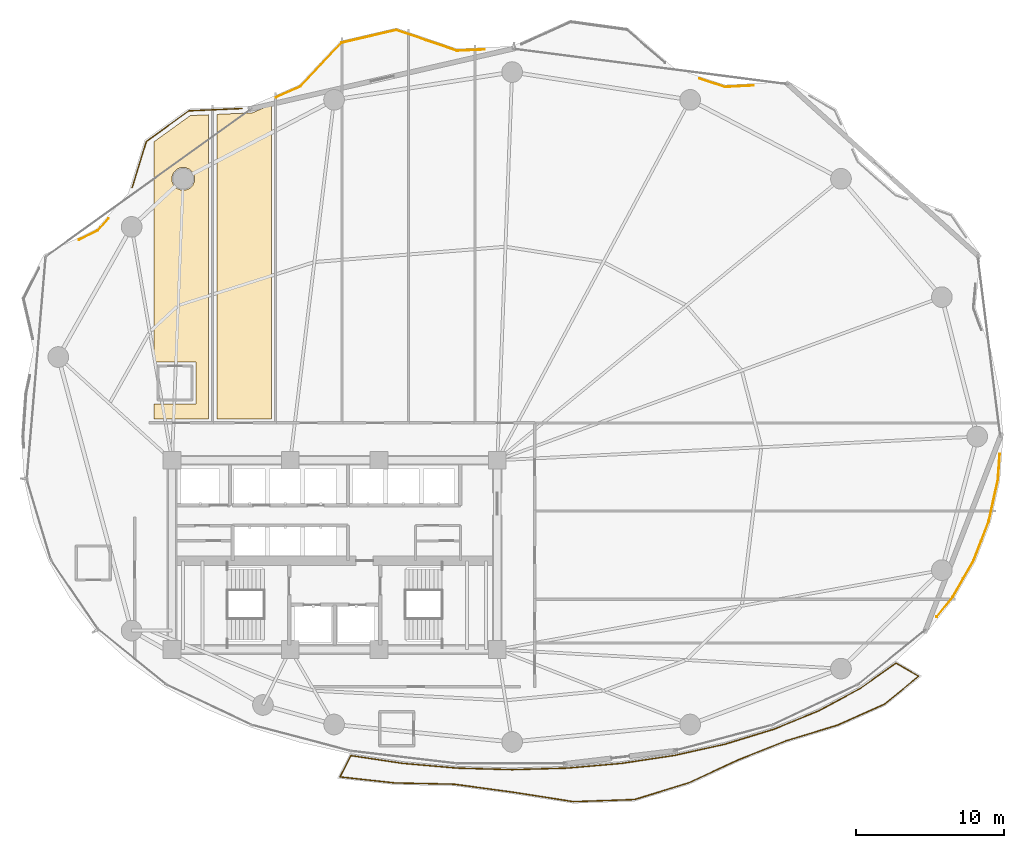
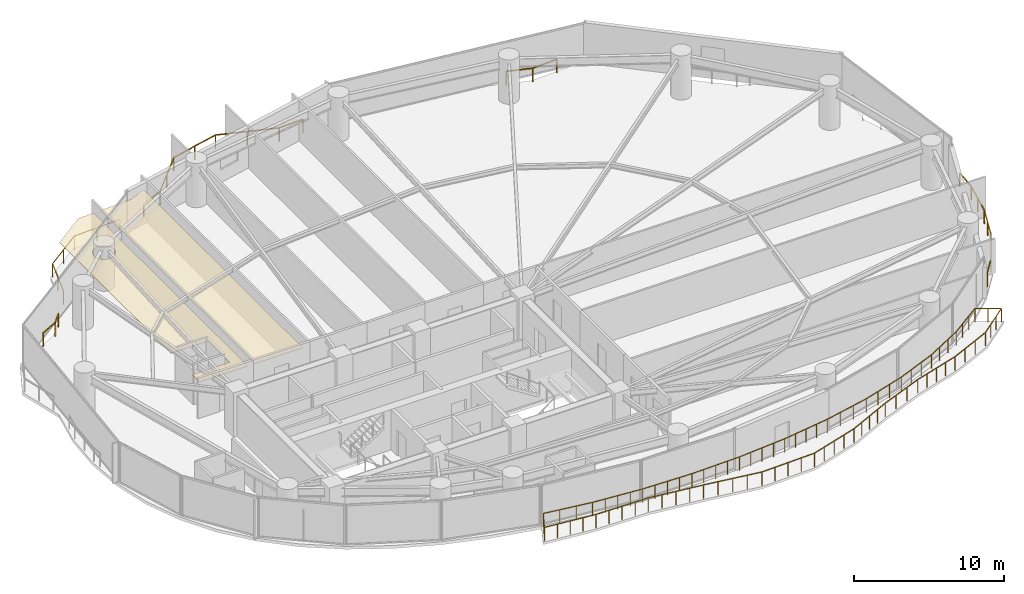
# One storey, part 29 of 30: 6 railings, 2 coverings.
"""IFC4 building model written with IfcOpenShell, lengths in metres."""

from ifc_helpers import new_model, si_unit, direction, frame, origin, origin_2d, place, context, subcontext, project, spatial, polyline, rectangle, outline, extrude, material, layer, layer_set, type_object, element, save


model = new_model("IFC4")

# Units and contexts
model_context = context("Model", 3, precision=1e-05, world=origin(), true_north=direction((0.0, 1.0)))
body_context = subcontext(model_context, "Body", "Model", "MODEL_VIEW")
ifc_project = project(units=[si_unit("LENGTHUNIT", "METRE"), si_unit("AREAUNIT", "SQUARE_METRE"), si_unit("VOLUMEUNIT", "CUBIC_METRE"), si_unit("PLANEANGLEUNIT", "RADIAN"), si_unit("MASSUNIT", "GRAM", prefix="KILO")], contexts=[model_context])

# Site, building, storey
site_placement = place(None, origin())
site = spatial("IfcSite", under=ifc_project, at=site_placement, CompositionType="ELEMENT")
building_placement = place(site_placement, origin())
building = spatial("IfcBuilding", under=site, at=building_placement, Name="Kazevale Care Tower and Concert Hall", CompositionType="ELEMENT")
storey_placement = place(building_placement, frame((0.0, 0.0, 88.800048828125)))
storey = spatial("IfcBuildingStorey", under=building, at=storey_placement, Name="L23", CompositionType="ELEMENT", Elevation=88.800048828125)

# Coverings
ifc_material_1 = material(Name="Acoustic Plaster and Hinoki Wood", Category="wood")
ifc_layer = layer(ifc_material_1, 0.0400390625)
ifc_layer_set = layer_set([ifc_layer], Name="Acoustic Plaster and Hinoki Wood")
covering_type = type_object("IfcCoveringType", Name="Acoustic Perforated Wood-Gypsum Ceiling", PredefinedType="CEILING", material=ifc_layer_set)
covering_1_placement = place(storey_placement, frame((0.0, 0.0, 2.6298828125)))
element("IfcCovering", 1, at=covering_1_placement, inside=storey, type_object=covering_type, Name="clg:L23:1", PredefinedType="CEILING", context=body_context, shape_type="SweptSolid", body=[
    extrude(outline(polyline([(23.6298828125, 40.195068359375), (23.6298828125, 43.054931640625), (20.780029296875, 43.054931640625), (20.780029296875, 57.93701171875), (23.241943359375, 59.7109375), (24.469970703125, 59.76611328125), (24.469970703125, 39.205078125), (20.780029296875, 39.205078125), (20.780029296875, 40.195068359375), (23.6298828125, 40.195068359375)]), holes=[polyline([(23.52490234375, 55.58203125), (23.408935546875, 55.863037109375), (23.193115234375, 56.0791015625), (22.912109375, 56.195068359375), (22.60791015625, 56.195068359375), (22.326904296875, 56.0791015625), (22.111083984375, 55.863037109375), (21.9951171875, 55.58203125), (21.9951171875, 55.278076171875), (22.111083984375, 54.9970703125), (22.326904296875, 54.781005859375), (22.60791015625, 54.6650390625), (22.912109375, 54.6650390625), (23.193115234375, 54.781005859375), (23.408935546875, 54.9970703125), (23.52490234375, 55.278076171875), (23.52490234375, 55.58203125)])]), origin(), (0.0, 0.0, 1.0), 0.0400390625),
])
covering_2_placement = place(storey_placement, frame((0.0, 0.0, 2.6298828125)))
element("IfcCovering", 2, at=covering_2_placement, inside=storey, type_object=covering_type, Name="clg:L23:2", PredefinedType="CEILING", context=body_context, shape_type="SweptSolid", body=[
    extrude(outline(polyline([(28.719970703125, 39.205078125), (25.030029296875, 39.205078125), (25.030029296875, 59.791015625), (27.443115234375, 59.89794921875), (28.719970703125, 60.458984375), (28.719970703125, 39.205078125)])), origin(), (0.0, 0.0, 1.0), 0.0400390625),
])

# Railings
ifc_material_2 = material(Name="Anodised Bronze Aluminium and Laminated Glass", Category="aluminium")
railing_type = type_object("IfcRailingType", Name="Balcony and Terrace Balustrade 1120", PredefinedType="BALUSTRADE", material=ifc_material_2)
railing_1_placement = place(storey_placement, frame((15.705078125, 51.30908203125, 0.0)))
element("IfcRailing", 3, at=railing_1_placement, inside=storey, type_object=railing_type, Name="rail:L23:perim:3", PredefinedType="BALUSTRADE", context=body_context, shape_type="SweptSolid", body=[
    extrude(rectangle(XDim=0.048095703125, YDim=0.048095703125, at=origin_2d()), frame((0.0, 0.0, 1.09619140625), z_axis=(0.897852496852, 0.440296370525, 0.0), x_axis=(-0.440296370525, 0.897852496852, 0.0)), (0.0, 0.0, 1.0), 1.41455078125),
    extrude(rectangle(XDim=0.048095703125, YDim=0.048095703125, at=origin_2d()), frame((1.27001953125, 0.622802734375, 1.09619140625), z_axis=(0.66593553458, 0.746009292022, 0.0), x_axis=(-0.746009292022, 0.66593553458, 0.0)), (0.0, 0.0, 1.0), 1.08837890625),
    extrude(rectangle(XDim=0.0419921875, YDim=0.0419921875, at=origin_2d()), origin(), (0.0, 0.0, 1.0), 1.072021484375),
    extrude(rectangle(XDim=0.0419921875, YDim=0.0419921875, at=origin_2d()), frame((1.27001953125, 0.622802734375, 0.0)), (0.0, 0.0, 1.0), 1.072021484375),
    extrude(rectangle(XDim=0.0419921875, YDim=0.0419921875, at=origin_2d()), frame((1.994873046875, 1.434814453125, 0.0)), (0.0, 0.0, 1.0), 1.072021484375),
])
railing_2_placement = place(storey_placement, frame((19.304931640625, 54.8349609375, 0.0)))
element("IfcRailing", 4, at=railing_2_placement, inside=storey, type_object=railing_type, Name="rail:L23:perim:4", PredefinedType="BALUSTRADE", context=body_context, shape_type="SweptSolid", body=[
    extrude(rectangle(XDim=0.048095703125, YDim=0.048095703125, at=origin_2d()), frame((0.0, 0.0, 1.09619140625), z_axis=(0.293644998859, 0.955914543589, 0.0), x_axis=(-0.955914543589, 0.293644998859, 0.0)), (0.0, 0.0, 1.0), 3.26904296875),
    extrude(rectangle(XDim=0.048095703125, YDim=0.048095703125, at=origin_2d()), frame((0.9599609375, 3.125, 1.09619140625), z_axis=(0.811163424766, 0.584819543383, 0.0), x_axis=(-0.584819543383, 0.811163424766, 0.0)), (0.0, 0.0, 1.0), 3.53466796875),
    extrude(rectangle(XDim=0.048095703125, YDim=0.048095703125, at=origin_2d()), frame((3.8271484375, 5.192138671875, 1.09619140625), z_axis=(0.999021313823, 0.044231374919, 0.0), x_axis=(-0.044231374919, 0.999021313823, 0.0)), (0.0, 0.0, 1.0), 3.615234375),
    extrude(rectangle(XDim=0.0419921875, YDim=0.0419921875, at=origin_2d()), origin(), (0.0, 0.0, 1.0), 1.072021484375),
    extrude(rectangle(XDim=0.0419921875, YDim=0.0419921875, at=origin_2d()), frame((0.47998046875, 1.5625, 0.0)), (0.0, 0.0, 1.0), 1.072021484375),
    extrude(rectangle(XDim=0.0419921875, YDim=0.0419921875, at=origin_2d()), frame((0.9599609375, 3.125, 0.0)), (0.0, 0.0, 1.0), 1.072021484375),
    extrude(rectangle(XDim=0.0419921875, YDim=0.0419921875, at=origin_2d()), frame((2.3935546875, 4.15869140625, 0.0)), (0.0, 0.0, 1.0), 1.072021484375),
    extrude(rectangle(XDim=0.0419921875, YDim=0.0419921875, at=origin_2d()), frame((3.8271484375, 5.192138671875, 0.0)), (0.0, 0.0, 1.0), 1.072021484375),
    extrude(rectangle(XDim=0.0419921875, YDim=0.0419921875, at=origin_2d()), frame((5.633056640625, 5.27197265625, 0.0)), (0.0, 0.0, 1.0), 1.072021484375),
    extrude(rectangle(XDim=0.0419921875, YDim=0.0419921875, at=origin_2d()), frame((7.43896484375, 5.35205078125, 0.0)), (0.0, 0.0, 1.0), 1.072021484375),
])
railing_3_placement = place(storey_placement, frame((29.02294921875, 60.94189453125, 0.0)))
element("IfcRailing", 5, at=railing_3_placement, inside=storey, type_object=railing_type, Name="rail:L23:perim:5", PredefinedType="BALUSTRADE", context=body_context, shape_type="SweptSolid", body=[
    extrude(rectangle(XDim=0.048095703125, YDim=0.048095703125, at=origin_2d()), frame((0.0, 0.0, 1.09619140625), z_axis=(0.915551857472, 0.402199945649, 0.0), x_axis=(-0.402199945649, 0.915551857472, 0.0)), (0.0, 0.0, 1.0), 1.8076171875),
    extrude(rectangle(XDim=0.048095703125, YDim=0.048095703125, at=origin_2d()), frame((1.655029296875, 0.72705078125, 1.09619140625), z_axis=(0.685012615357, 0.728531205098, 0.0), x_axis=(-0.728531205098, 0.685012615357, 0.0)), (0.0, 0.0, 1.0), 4.0673828125),
    extrude(rectangle(XDim=0.048095703125, YDim=0.048095703125, at=origin_2d()), frame((4.441162109375, 3.690185546875, 1.09619140625), z_axis=(0.974021191549, 0.226456879811, 0.0), x_axis=(-0.226456879811, 0.974021191549, 0.0)), (0.0, 0.0, 1.0), 3.8056640625),
    extrude(rectangle(XDim=0.048095703125, YDim=0.048095703125, at=origin_2d()), frame((8.14794921875, 4.552001953125, 1.09619140625), z_axis=(0.946095269319, -0.323888470578, 0.0), x_axis=(0.323888470578, 0.946095269319, 0.0)), (0.0, 0.0, 1.0), 4.3251953125),
    extrude(rectangle(XDim=0.048095703125, YDim=0.048095703125, at=origin_2d()), frame((12.239990234375, 3.151123046875, 1.09619140625), z_axis=(0.999004839939, 0.044601903302, 0.0), x_axis=(-0.044601903302, 0.999004839939, 0.0)), (0.0, 0.0, 1.0), 1.883056640625),
    extrude(rectangle(XDim=0.0419921875, YDim=0.0419921875, at=origin_2d()), origin(), (0.0, 0.0, 1.0), 1.072021484375),
    extrude(rectangle(XDim=0.0419921875, YDim=0.0419921875, at=origin_2d()), frame((1.655029296875, 0.72705078125, 0.0)), (0.0, 0.0, 1.0), 1.072021484375),
    extrude(rectangle(XDim=0.0419921875, YDim=0.0419921875, at=origin_2d()), frame((3.048095703125, 2.20849609375, 0.0)), (0.0, 0.0, 1.0), 1.072021484375),
    extrude(rectangle(XDim=0.0419921875, YDim=0.0419921875, at=origin_2d()), frame((4.441162109375, 3.690185546875, 0.0)), (0.0, 0.0, 1.0), 1.072021484375),
    extrude(rectangle(XDim=0.0419921875, YDim=0.0419921875, at=origin_2d()), frame((6.29443359375, 4.12109375, 0.0)), (0.0, 0.0, 1.0), 1.072021484375),
    extrude(rectangle(XDim=0.0419921875, YDim=0.0419921875, at=origin_2d()), frame((8.14794921875, 4.552001953125, 0.0)), (0.0, 0.0, 1.0), 1.072021484375),
    extrude(rectangle(XDim=0.0419921875, YDim=0.0419921875, at=origin_2d()), frame((10.19384765625, 3.8515625, 0.0)), (0.0, 0.0, 1.0), 1.072021484375),
    extrude(rectangle(XDim=0.0419921875, YDim=0.0419921875, at=origin_2d()), frame((12.239990234375, 3.151123046875, 0.0)), (0.0, 0.0, 1.0), 1.072021484375),
    extrude(rectangle(XDim=0.0419921875, YDim=0.0419921875, at=origin_2d()), frame((14.12109375, 3.235107421875, 0.0)), (0.0, 0.0, 1.0), 1.072021484375),
])
railing_4_placement = place(storey_placement, frame((57.6640625, 62.2109375, 0.0)))
element("IfcRailing", 6, at=railing_4_placement, inside=storey, type_object=railing_type, Name="rail:L23:perim:7", PredefinedType="BALUSTRADE", context=body_context, shape_type="SweptSolid", body=[
    extrude(rectangle(XDim=0.048095703125, YDim=0.048095703125, at=origin_2d()), frame((0.0, 0.0, 1.09619140625), z_axis=(0.949848441204, -0.312710631004, 0.0), x_axis=(0.312710631004, 0.949848441204, 0.0)), (0.0, 0.0, 1.0), 1.812744140625),
    extrude(rectangle(XDim=0.048095703125, YDim=0.048095703125, at=origin_2d()), frame((1.721923828125, -0.56689453125, 1.09619140625), z_axis=(0.998699806004, 0.05097742136, 0.0), x_axis=(-0.05097742136, 0.998699806004, 0.0)), (0.0, 0.0, 1.0), 1.92041015625),
    extrude(rectangle(XDim=0.0419921875, YDim=0.0419921875, at=origin_2d()), origin(), (0.0, 0.0, 1.0), 1.072021484375),
    extrude(rectangle(XDim=0.0419921875, YDim=0.0419921875, at=origin_2d()), frame((1.721923828125, -0.56689453125, 0.0)), (0.0, 0.0, 1.0), 1.072021484375),
    extrude(rectangle(XDim=0.0419921875, YDim=0.0419921875, at=origin_2d()), frame((3.639892578125, -0.468994140625, 0.0)), (0.0, 0.0, 1.0), 1.072021484375),
])
railing_5_placement = place(storey_placement, frame((77.97705078125, 36.833984375, 0.0)))
element("IfcRailing", 7, at=railing_5_placement, inside=storey, type_object=railing_type, Name="rail:L23:perim:11", PredefinedType="BALUSTRADE", context=body_context, shape_type="SweptSolid", body=[
    extrude(rectangle(XDim=0.048095703125, YDim=0.048095703125, at=origin_2d()), frame((0.0, 0.0, 1.09619140625), z_axis=(-0.071286628485, -0.997455872006, 0.0), x_axis=(0.997455872006, -0.071286628485, 0.0)), (0.0, 0.0, 1.0), 1.75341796875),
    extrude(rectangle(XDim=0.048095703125, YDim=0.048095703125, at=origin_2d()), frame((-0.125, -1.7490234375, 1.09619140625), z_axis=(-0.215098010705, -0.976592466585, 0.0), x_axis=(0.976592466585, -0.215098010705, 0.0)), (0.0, 0.0, 1.0), 2.87841796875),
    extrude(rectangle(XDim=0.048095703125, YDim=0.048095703125, at=origin_2d()), frame((-0.744140625, -4.56005859375, 1.09619140625), z_axis=(-0.359784505971, -0.933035427657, 0.0), x_axis=(0.933035427657, -0.359784505971, 0.0)), (0.0, 0.0, 1.0), 2.84326171875),
    extrude(rectangle(XDim=0.048095703125, YDim=0.048095703125, at=origin_2d()), frame((-1.76708984375, -7.212890625, 1.09619140625), z_axis=(-0.498807638719, -0.866712720315, 0.0), x_axis=(0.866712720315, -0.498807638719, 0.0)), (0.0, 0.0, 1.0), 2.8349609375),
    extrude(rectangle(XDim=0.048095703125, YDim=0.048095703125, at=origin_2d()), frame((-3.18115234375, -9.669921875, 1.09619140625), z_axis=(-0.624746863437, -0.780827353917, 0.0), x_axis=(0.780827353917, -0.624746863437, 0.0)), (0.0, 0.0, 1.0), 1.7236328125),
    extrude(rectangle(XDim=0.0419921875, YDim=0.0419921875, at=origin_2d()), origin(), (0.0, 0.0, 1.0), 1.072021484375),
    extrude(rectangle(XDim=0.0419921875, YDim=0.0419921875, at=origin_2d()), frame((-0.125, -1.7490234375, 0.0)), (0.0, 0.0, 1.0), 1.072021484375),
    extrude(rectangle(XDim=0.0419921875, YDim=0.0419921875, at=origin_2d()), frame((-0.4345703125, -3.154541015625, 0.0)), (0.0, 0.0, 1.0), 1.072021484375),
    extrude(rectangle(XDim=0.0419921875, YDim=0.0419921875, at=origin_2d()), frame((-0.744140625, -4.56005859375, 0.0)), (0.0, 0.0, 1.0), 1.072021484375),
    extrude(rectangle(XDim=0.0419921875, YDim=0.0419921875, at=origin_2d()), frame((-1.255615234375, -5.886474609375, 0.0)), (0.0, 0.0, 1.0), 1.072021484375),
    extrude(rectangle(XDim=0.0419921875, YDim=0.0419921875, at=origin_2d()), frame((-1.76708984375, -7.212890625, 0.0)), (0.0, 0.0, 1.0), 1.072021484375),
    extrude(rectangle(XDim=0.0419921875, YDim=0.0419921875, at=origin_2d()), frame((-2.47412109375, -8.44140625, 0.0)), (0.0, 0.0, 1.0), 1.072021484375),
    extrude(rectangle(XDim=0.0419921875, YDim=0.0419921875, at=origin_2d()), frame((-3.18115234375, -9.669921875, 0.0)), (0.0, 0.0, 1.0), 1.072021484375),
    extrude(rectangle(XDim=0.0419921875, YDim=0.0419921875, at=origin_2d()), frame((-4.258056640625, -11.015869140625, 0.0)), (0.0, 0.0, 1.0), 1.072021484375),
])
railing_6_placement = place(storey_placement, frame((34.10009765625, 16.427978515625, 0.0)))
element("IfcRailing", 8, at=railing_6_placement, inside=storey, type_object=railing_type, Name="rail:L23:balcony", PredefinedType="BALUSTRADE", context=body_context, shape_type="SweptSolid", body=[
    extrude(rectangle(XDim=0.048095703125, YDim=0.048095703125, at=origin_2d()), frame((0.0, 0.0, 1.09619140625), z_axis=(0.988835380671, -0.149012046267, 0.0), x_axis=(0.149012046267, 0.988835380671, 0.0)), (0.0, 0.0, 1.0), 3.537353515625),
    extrude(rectangle(XDim=0.048095703125, YDim=0.048095703125, at=origin_2d()), frame((3.497802734375, -0.527099609375, 1.09619140625), z_axis=(0.996240588196, -0.086629616365, 0.0), x_axis=(0.086629616365, 0.996240588196, 0.0)), (0.0, 0.0, 1.0), 3.69189453125),
    extrude(rectangle(XDim=0.048095703125, YDim=0.048095703125, at=origin_2d()), frame((7.17578125, -0.846923828125, 1.09619140625), z_axis=(0.999595500109, -0.02844004504, 0.0), x_axis=(0.02844004504, 0.999595500109, 0.0)), (0.0, 0.0, 1.0), 3.7255859375),
    extrude(rectangle(XDim=0.048095703125, YDim=0.048095703125, at=origin_2d()), frame((10.89990234375, -0.952880859375, 1.09619140625), z_axis=(0.999595500109, 0.02844004504, 0.0), x_axis=(-0.02844004504, 0.999595500109, 0.0)), (0.0, 0.0, 1.0), 3.7255859375),
    extrude(rectangle(XDim=0.048095703125, YDim=0.048095703125, at=origin_2d()), frame((14.6240234375, -0.846923828125, 1.09619140625), z_axis=(0.996240588196, 0.086629616365, 0.0), x_axis=(-0.086629616365, 0.996240588196, 0.0)), (0.0, 0.0, 1.0), 3.69189453125),
    extrude(rectangle(XDim=0.048095703125, YDim=0.048095703125, at=origin_2d()), frame((18.302001953125, -0.527099609375, 1.09619140625), z_axis=(0.988849271471, 0.148919838541, 0.0), x_axis=(-0.148919838541, 0.988849271471, 0.0)), (0.0, 0.0, 1.0), 3.62646484375),
    extrude(rectangle(XDim=0.048095703125, YDim=0.048095703125, at=origin_2d()), frame((21.887939453125, 0.012939453125, 1.09619140625), z_axis=(0.976148024322, 0.217106044625, 0.0), x_axis=(-0.217106044625, 0.976148024322, 0.0)), (0.0, 0.0, 1.0), 3.533203125),
    extrude(rectangle(XDim=0.048095703125, YDim=0.048095703125, at=origin_2d()), frame((25.3369140625, 0.780029296875, 1.09619140625), z_axis=(0.95593940193, 0.293564064282, 0.0), x_axis=(-0.293564064282, 0.95593940193, 0.0)), (0.0, 0.0, 1.0), 3.419677734375),
    extrude(rectangle(XDim=0.048095703125, YDim=0.048095703125, at=origin_2d()), frame((28.60595703125, 1.783935546875, 1.09619140625), z_axis=(0.925168618375, 0.379556356256, 0.0), x_axis=(-0.379556356256, 0.925168618375, 0.0)), (0.0, 0.0, 1.0), 3.293212890625),
    extrude(rectangle(XDim=0.048095703125, YDim=0.048095703125, at=origin_2d()), frame((31.65283203125, 3.033935546875, 1.09619140625), z_axis=(0.880032904554, 0.474912715036, 0.0), x_axis=(-0.474912715036, 0.880032904554, 0.0)), (0.0, 0.0, 1.0), 3.169189453125),
    extrude(rectangle(XDim=0.048095703125, YDim=0.048095703125, at=origin_2d()), frame((34.44189453125, 4.5390625, 1.09619140625), z_axis=(0.816594193991, 0.577212198711, 0.0), x_axis=(-0.577212198711, 0.816594193991, 0.0)), (0.0, 0.0, 1.0), 2.970947265625),
    extrude(rectangle(XDim=0.048095703125, YDim=0.048095703125, at=origin_2d()), frame((36.867919921875, 6.25390625, 1.09619140625), z_axis=(0.863206921389, -0.504850285596, 0.0), x_axis=(0.504850285596, 0.863206921389, 0.0)), (0.0, 0.0, 1.0), 1.7666015625),
    extrude(rectangle(XDim=0.048095703125, YDim=0.048095703125, at=origin_2d()), frame((38.392822265625, 5.362060546875, 1.09619140625), z_axis=(-0.77569879253, -0.631103306335, 0.0), x_axis=(0.631103306335, -0.77569879253, 0.0)), (0.0, 0.0, 1.0), 2.98681640625),
    extrude(rectangle(XDim=0.048095703125, YDim=0.048095703125, at=origin_2d()), frame((36.075927734375, 3.47705078125, 1.09619140625), z_axis=(-0.912787896612, -0.40843390628, 0.0), x_axis=(0.40843390628, -0.912787896612, 0.0)), (0.0, 0.0, 1.0), 3.4716796875),
    extrude(rectangle(XDim=0.048095703125, YDim=0.048095703125, at=origin_2d()), frame((32.906982421875, 2.05908203125, 1.09619140625), z_axis=(-0.956592407405, -0.291429178525, 0.0), x_axis=(0.291429178525, -0.956592407405, 0.0)), (0.0, 0.0, 1.0), 3.630859375),
    extrude(rectangle(XDim=0.048095703125, YDim=0.048095703125, at=origin_2d()), frame((29.433837890625, 1.0009765625, 1.09619140625), z_axis=(-0.929112783514, -0.369796478501, 0.0), x_axis=(0.369796478501, -0.929112783514, 0.0)), (0.0, 0.0, 1.0), 3.512939453125),
    extrude(rectangle(XDim=0.048095703125, YDim=0.048095703125, at=origin_2d()), frame((26.169921875, -0.298095703125, 1.09619140625), z_axis=(-0.906415343657, -0.422387529151, 0.0), x_axis=(0.422387529151, -0.906415343657, 0.0)), (0.0, 0.0, 1.0), 3.6240234375),
    extrude(rectangle(XDim=0.048095703125, YDim=0.048095703125, at=origin_2d()), frame((22.885009765625, -1.828857421875, 1.09619140625), z_axis=(-0.955596785505, -0.294677422843, 0.0), x_axis=(0.294677422843, -0.955596785505, 0.0)), (0.0, 0.0, 1.0), 3.8857421875),
    extrude(rectangle(XDim=0.048095703125, YDim=0.048095703125, at=origin_2d()), frame((19.171875, -2.973876953125, 1.09619140625), z_axis=(-0.999416204471, -0.034165044132, 0.0), x_axis=(0.034165044132, -0.999416204471, 0.0)), (0.0, 0.0, 1.0), 4.13037109375),
    extrude(rectangle(XDim=0.048095703125, YDim=0.048095703125, at=origin_2d()), frame((15.0439453125, -3.114990234375, 1.09619140625), z_axis=(-0.987933908296, 0.154876056376, 0.0), x_axis=(-0.154876056376, -0.987933908296, 0.0)), (0.0, 0.0, 1.0), 4.17724609375),
    extrude(rectangle(XDim=0.048095703125, YDim=0.048095703125, at=origin_2d()), frame((10.9169921875, -2.468017578125, 1.09619140625), z_axis=(-0.99097395301, 0.134054557756, 0.0), x_axis=(-0.134054557756, -0.99097395301, 0.0)), (0.0, 0.0, 1.0), 3.98291015625),
    extrude(rectangle(XDim=0.048095703125, YDim=0.048095703125, at=origin_2d()), frame((6.969970703125, -1.93408203125, 1.09619140625), z_axis=(-0.999787348797, 0.020621764837, 0.0), x_axis=(-0.020621764837, -0.999787348797, 0.0)), (0.0, 0.0, 1.0), 3.977783203125),
    extrude(rectangle(XDim=0.048095703125, YDim=0.048095703125, at=origin_2d()), frame((2.992919921875, -1.85205078125, 1.09619140625), z_axis=(-0.994039792805, 0.109017844048, 0.0), x_axis=(-0.109017844048, -0.994039792805, 0.0)), (0.0, 0.0, 1.0), 3.75341796875),
    extrude(rectangle(XDim=0.048095703125, YDim=0.048095703125, at=origin_2d()), frame((-0.738037109375, -1.44287109375, 1.09619140625), z_axis=(0.455389730462, 0.890292195512, 0.0), x_axis=(-0.890292195512, 0.455389730462, 0.0)), (0.0, 0.0, 1.0), 1.62060546875),
    extrude(rectangle(XDim=0.0419921875, YDim=0.0419921875, at=origin_2d()), origin(), (0.0, 0.0, 1.0), 1.072021484375),
    extrude(rectangle(XDim=0.0419921875, YDim=0.0419921875, at=origin_2d()), frame((1.166015625, -0.17578125, 0.0)), (0.0, 0.0, 1.0), 1.072021484375),
    extrude(rectangle(XDim=0.0419921875, YDim=0.0419921875, at=origin_2d()), frame((2.331787109375, -0.351318359375, 0.0)), (0.0, 0.0, 1.0), 1.072021484375),
    extrude(rectangle(XDim=0.0419921875, YDim=0.0419921875, at=origin_2d()), frame((3.497802734375, -0.527099609375, 0.0)), (0.0, 0.0, 1.0), 1.072021484375),
    extrude(rectangle(XDim=0.0419921875, YDim=0.0419921875, at=origin_2d()), frame((4.417236328125, -0.60693359375, 0.0)), (0.0, 0.0, 1.0), 1.072021484375),
    extrude(rectangle(XDim=0.0419921875, YDim=0.0419921875, at=origin_2d()), frame((5.3369140625, -0.68701171875, 0.0)), (0.0, 0.0, 1.0), 1.072021484375),
    extrude(rectangle(XDim=0.0419921875, YDim=0.0419921875, at=origin_2d()), frame((6.25634765625, -0.76708984375, 0.0)), (0.0, 0.0, 1.0), 1.072021484375),
    extrude(rectangle(XDim=0.0419921875, YDim=0.0419921875, at=origin_2d()), frame((7.17578125, -0.846923828125, 0.0)), (0.0, 0.0, 1.0), 1.072021484375),
    extrude(rectangle(XDim=0.0419921875, YDim=0.0419921875, at=origin_2d()), frame((8.10693359375, -0.87353515625, 0.0)), (0.0, 0.0, 1.0), 1.072021484375),
    extrude(rectangle(XDim=0.0419921875, YDim=0.0419921875, at=origin_2d()), frame((9.037841796875, -0.89990234375, 0.0)), (0.0, 0.0, 1.0), 1.072021484375),
    extrude(rectangle(XDim=0.0419921875, YDim=0.0419921875, at=origin_2d()), frame((9.96875, -0.92626953125, 0.0)), (0.0, 0.0, 1.0), 1.072021484375),
    extrude(rectangle(XDim=0.0419921875, YDim=0.0419921875, at=origin_2d()), frame((10.89990234375, -0.952880859375, 0.0)), (0.0, 0.0, 1.0), 1.072021484375),
    extrude(rectangle(XDim=0.0419921875, YDim=0.0419921875, at=origin_2d()), frame((11.8310546875, -0.92626953125, 0.0)), (0.0, 0.0, 1.0), 1.072021484375),
    extrude(rectangle(XDim=0.0419921875, YDim=0.0419921875, at=origin_2d()), frame((12.761962890625, -0.89990234375, 0.0)), (0.0, 0.0, 1.0), 1.072021484375),
    extrude(rectangle(XDim=0.0419921875, YDim=0.0419921875, at=origin_2d()), frame((13.69287109375, -0.87353515625, 0.0)), (0.0, 0.0, 1.0), 1.072021484375),
    extrude(rectangle(XDim=0.0419921875, YDim=0.0419921875, at=origin_2d()), frame((14.6240234375, -0.846923828125, 0.0)), (0.0, 0.0, 1.0), 1.072021484375),
    extrude(rectangle(XDim=0.0419921875, YDim=0.0419921875, at=origin_2d()), frame((15.54345703125, -0.76708984375, 0.0)), (0.0, 0.0, 1.0), 1.072021484375),
    extrude(rectangle(XDim=0.0419921875, YDim=0.0419921875, at=origin_2d()), frame((16.462890625, -0.68701171875, 0.0)), (0.0, 0.0, 1.0), 1.072021484375),
    extrude(rectangle(XDim=0.0419921875, YDim=0.0419921875, at=origin_2d()), frame((17.382568359375, -0.60693359375, 0.0)), (0.0, 0.0, 1.0), 1.072021484375),
    extrude(rectangle(XDim=0.0419921875, YDim=0.0419921875, at=origin_2d()), frame((18.302001953125, -0.527099609375, 0.0)), (0.0, 0.0, 1.0), 1.072021484375),
    extrude(rectangle(XDim=0.0419921875, YDim=0.0419921875, at=origin_2d()), frame((19.198486328125, -0.39208984375, 0.0)), (0.0, 0.0, 1.0), 1.072021484375),
    extrude(rectangle(XDim=0.0419921875, YDim=0.0419921875, at=origin_2d()), frame((20.094970703125, -0.257080078125, 0.0)), (0.0, 0.0, 1.0), 1.072021484375),
    extrude(rectangle(XDim=0.0419921875, YDim=0.0419921875, at=origin_2d()), frame((20.991455078125, -0.1220703125, 0.0)), (0.0, 0.0, 1.0), 1.072021484375),
    extrude(rectangle(XDim=0.0419921875, YDim=0.0419921875, at=origin_2d()), frame((21.887939453125, 0.012939453125, 0.0)), (0.0, 0.0, 1.0), 1.072021484375),
    extrude(rectangle(XDim=0.0419921875, YDim=0.0419921875, at=origin_2d()), frame((23.03759765625, 0.2685546875, 0.0)), (0.0, 0.0, 1.0), 1.072021484375),
    extrude(rectangle(XDim=0.0419921875, YDim=0.0419921875, at=origin_2d()), frame((24.187255859375, 0.5244140625, 0.0)), (0.0, 0.0, 1.0), 1.072021484375),
    extrude(rectangle(XDim=0.0419921875, YDim=0.0419921875, at=origin_2d()), frame((25.3369140625, 0.780029296875, 0.0)), (0.0, 0.0, 1.0), 1.072021484375),
    extrude(rectangle(XDim=0.0419921875, YDim=0.0419921875, at=origin_2d()), frame((26.426513671875, 1.11474609375, 0.0)), (0.0, 0.0, 1.0), 1.072021484375),
    extrude(rectangle(XDim=0.0419921875, YDim=0.0419921875, at=origin_2d()), frame((27.516357421875, 1.44921875, 0.0)), (0.0, 0.0, 1.0), 1.072021484375),
    extrude(rectangle(XDim=0.0419921875, YDim=0.0419921875, at=origin_2d()), frame((28.60595703125, 1.783935546875, 0.0)), (0.0, 0.0, 1.0), 1.072021484375),
    extrude(rectangle(XDim=0.0419921875, YDim=0.0419921875, at=origin_2d()), frame((29.62158203125, 2.20068359375, 0.0)), (0.0, 0.0, 1.0), 1.072021484375),
    extrude(rectangle(XDim=0.0419921875, YDim=0.0419921875, at=origin_2d()), frame((30.63720703125, 2.6171875, 0.0)), (0.0, 0.0, 1.0), 1.072021484375),
    extrude(rectangle(XDim=0.0419921875, YDim=0.0419921875, at=origin_2d()), frame((31.65283203125, 3.033935546875, 0.0)), (0.0, 0.0, 1.0), 1.072021484375),
    extrude(rectangle(XDim=0.0419921875, YDim=0.0419921875, at=origin_2d()), frame((32.58251953125, 3.53564453125, 0.0)), (0.0, 0.0, 1.0), 1.072021484375),
    extrude(rectangle(XDim=0.0419921875, YDim=0.0419921875, at=origin_2d()), frame((33.51220703125, 4.037353515625, 0.0)), (0.0, 0.0, 1.0), 1.072021484375),
    extrude(rectangle(XDim=0.0419921875, YDim=0.0419921875, at=origin_2d()), frame((34.44189453125, 4.5390625, 0.0)), (0.0, 0.0, 1.0), 1.072021484375),
    extrude(rectangle(XDim=0.0419921875, YDim=0.0419921875, at=origin_2d()), frame((35.25048828125, 5.110595703125, 0.0)), (0.0, 0.0, 1.0), 1.072021484375),
    extrude(rectangle(XDim=0.0419921875, YDim=0.0419921875, at=origin_2d()), frame((36.059326171875, 5.682373046875, 0.0)), (0.0, 0.0, 1.0), 1.072021484375),
    extrude(rectangle(XDim=0.0419921875, YDim=0.0419921875, at=origin_2d()), frame((36.867919921875, 6.25390625, 0.0)), (0.0, 0.0, 1.0), 1.072021484375),
    extrude(rectangle(XDim=0.0419921875, YDim=0.0419921875, at=origin_2d()), frame((37.63037109375, 5.80810546875, 0.0)), (0.0, 0.0, 1.0), 1.072021484375),
    extrude(rectangle(XDim=0.0419921875, YDim=0.0419921875, at=origin_2d()), frame((38.392822265625, 5.362060546875, 0.0)), (0.0, 0.0, 1.0), 1.072021484375),
    extrude(rectangle(XDim=0.0419921875, YDim=0.0419921875, at=origin_2d()), frame((37.62060546875, 4.733642578125, 0.0)), (0.0, 0.0, 1.0), 1.072021484375),
    extrude(rectangle(XDim=0.0419921875, YDim=0.0419921875, at=origin_2d()), frame((36.84814453125, 4.10546875, 0.0)), (0.0, 0.0, 1.0), 1.072021484375),
    extrude(rectangle(XDim=0.0419921875, YDim=0.0419921875, at=origin_2d()), frame((36.075927734375, 3.47705078125, 0.0)), (0.0, 0.0, 1.0), 1.072021484375),
    extrude(rectangle(XDim=0.0419921875, YDim=0.0419921875, at=origin_2d()), frame((35.01953125, 3.00439453125, 0.0)), (0.0, 0.0, 1.0), 1.072021484375),
    extrude(rectangle(XDim=0.0419921875, YDim=0.0419921875, at=origin_2d()), frame((33.96337890625, 2.53173828125, 0.0)), (0.0, 0.0, 1.0), 1.072021484375),
    extrude(rectangle(XDim=0.0419921875, YDim=0.0419921875, at=origin_2d()), frame((32.906982421875, 2.05908203125, 0.0)), (0.0, 0.0, 1.0), 1.072021484375),
    extrude(rectangle(XDim=0.0419921875, YDim=0.0419921875, at=origin_2d()), frame((32.03857421875, 1.79443359375, 0.0)), (0.0, 0.0, 1.0), 1.072021484375),
    extrude(rectangle(XDim=0.0419921875, YDim=0.0419921875, at=origin_2d()), frame((31.17041015625, 1.530029296875, 0.0)), (0.0, 0.0, 1.0), 1.072021484375),
    extrude(rectangle(XDim=0.0419921875, YDim=0.0419921875, at=origin_2d()), frame((30.30224609375, 1.265625, 0.0)), (0.0, 0.0, 1.0), 1.072021484375),
    extrude(rectangle(XDim=0.0419921875, YDim=0.0419921875, at=origin_2d()), frame((29.433837890625, 1.0009765625, 0.0)), (0.0, 0.0, 1.0), 1.072021484375),
    extrude(rectangle(XDim=0.0419921875, YDim=0.0419921875, at=origin_2d()), frame((28.345947265625, 0.56787109375, 0.0)), (0.0, 0.0, 1.0), 1.072021484375),
    extrude(rectangle(XDim=0.0419921875, YDim=0.0419921875, at=origin_2d()), frame((27.2578125, 0.135009765625, 0.0)), (0.0, 0.0, 1.0), 1.072021484375),
    extrude(rectangle(XDim=0.0419921875, YDim=0.0419921875, at=origin_2d()), frame((26.169921875, -0.298095703125, 0.0)), (0.0, 0.0, 1.0), 1.072021484375),
    extrude(rectangle(XDim=0.0419921875, YDim=0.0419921875, at=origin_2d()), frame((25.3486328125, -0.6806640625, 0.0)), (0.0, 0.0, 1.0), 1.072021484375),
    extrude(rectangle(XDim=0.0419921875, YDim=0.0419921875, at=origin_2d()), frame((24.52734375, -1.0634765625, 0.0)), (0.0, 0.0, 1.0), 1.072021484375),
    extrude(rectangle(XDim=0.0419921875, YDim=0.0419921875, at=origin_2d()), frame((23.706298828125, -1.4462890625, 0.0)), (0.0, 0.0, 1.0), 1.072021484375),
    extrude(rectangle(XDim=0.0419921875, YDim=0.0419921875, at=origin_2d()), frame((22.885009765625, -1.828857421875, 0.0)), (0.0, 0.0, 1.0), 1.072021484375),
    extrude(rectangle(XDim=0.0419921875, YDim=0.0419921875, at=origin_2d()), frame((21.956787109375, -2.115234375, 0.0)), (0.0, 0.0, 1.0), 1.072021484375),
    extrude(rectangle(XDim=0.0419921875, YDim=0.0419921875, at=origin_2d()), frame((21.0283203125, -2.4013671875, 0.0)), (0.0, 0.0, 1.0), 1.072021484375),
    extrude(rectangle(XDim=0.0419921875, YDim=0.0419921875, at=origin_2d()), frame((20.10009765625, -2.6875, 0.0)), (0.0, 0.0, 1.0), 1.072021484375),
    extrude(rectangle(XDim=0.0419921875, YDim=0.0419921875, at=origin_2d()), frame((19.171875, -2.973876953125, 0.0)), (0.0, 0.0, 1.0), 1.072021484375),
    extrude(rectangle(XDim=0.0419921875, YDim=0.0419921875, at=origin_2d()), frame((18.139892578125, -3.00927734375, 0.0)), (0.0, 0.0, 1.0), 1.072021484375),
    extrude(rectangle(XDim=0.0419921875, YDim=0.0419921875, at=origin_2d()), frame((17.10791015625, -3.04443359375, 0.0)), (0.0, 0.0, 1.0), 1.072021484375),
    extrude(rectangle(XDim=0.0419921875, YDim=0.0419921875, at=origin_2d()), frame((16.075927734375, -3.07958984375, 0.0)), (0.0, 0.0, 1.0), 1.072021484375),
    extrude(rectangle(XDim=0.0419921875, YDim=0.0419921875, at=origin_2d()), frame((15.0439453125, -3.114990234375, 0.0)), (0.0, 0.0, 1.0), 1.072021484375),
    extrude(rectangle(XDim=0.0419921875, YDim=0.0419921875, at=origin_2d()), frame((14.01220703125, -2.953125, 0.0)), (0.0, 0.0, 1.0), 1.072021484375),
    extrude(rectangle(XDim=0.0419921875, YDim=0.0419921875, at=origin_2d()), frame((12.98046875, -2.79150390625, 0.0)), (0.0, 0.0, 1.0), 1.072021484375),
    extrude(rectangle(XDim=0.0419921875, YDim=0.0419921875, at=origin_2d()), frame((11.94873046875, -2.6298828125, 0.0)), (0.0, 0.0, 1.0), 1.072021484375),
    extrude(rectangle(XDim=0.0419921875, YDim=0.0419921875, at=origin_2d()), frame((10.9169921875, -2.468017578125, 0.0)), (0.0, 0.0, 1.0), 1.072021484375),
    extrude(rectangle(XDim=0.0419921875, YDim=0.0419921875, at=origin_2d()), frame((9.93017578125, -2.33447265625, 0.0)), (0.0, 0.0, 1.0), 1.072021484375),
    extrude(rectangle(XDim=0.0419921875, YDim=0.0419921875, at=origin_2d()), frame((8.943359375, -2.201171875, 0.0)), (0.0, 0.0, 1.0), 1.072021484375),
    extrude(rectangle(XDim=0.0419921875, YDim=0.0419921875, at=origin_2d()), frame((7.956787109375, -2.067626953125, 0.0)), (0.0, 0.0, 1.0), 1.072021484375),
    extrude(rectangle(XDim=0.0419921875, YDim=0.0419921875, at=origin_2d()), frame((6.969970703125, -1.93408203125, 0.0)), (0.0, 0.0, 1.0), 1.072021484375),
    extrude(rectangle(XDim=0.0419921875, YDim=0.0419921875, at=origin_2d()), frame((5.9755859375, -1.91357421875, 0.0)), (0.0, 0.0, 1.0), 1.072021484375),
    extrude(rectangle(XDim=0.0419921875, YDim=0.0419921875, at=origin_2d()), frame((4.9814453125, -1.89306640625, 0.0)), (0.0, 0.0, 1.0), 1.072021484375),
    extrude(rectangle(XDim=0.0419921875, YDim=0.0419921875, at=origin_2d()), frame((3.9873046875, -1.87255859375, 0.0)), (0.0, 0.0, 1.0), 1.072021484375),
    extrude(rectangle(XDim=0.0419921875, YDim=0.0419921875, at=origin_2d()), frame((2.992919921875, -1.85205078125, 0.0)), (0.0, 0.0, 1.0), 1.072021484375),
    extrude(rectangle(XDim=0.0419921875, YDim=0.0419921875, at=origin_2d()), frame((2.06005859375, -1.749755859375, 0.0)), (0.0, 0.0, 1.0), 1.072021484375),
    extrude(rectangle(XDim=0.0419921875, YDim=0.0419921875, at=origin_2d()), frame((1.12744140625, -1.6474609375, 0.0)), (0.0, 0.0, 1.0), 1.072021484375),
    extrude(rectangle(XDim=0.0419921875, YDim=0.0419921875, at=origin_2d()), frame((0.19482421875, -1.545166015625, 0.0)), (0.0, 0.0, 1.0), 1.072021484375),
    extrude(rectangle(XDim=0.0419921875, YDim=0.0419921875, at=origin_2d()), frame((-0.738037109375, -1.44287109375, 0.0)), (0.0, 0.0, 1.0), 1.072021484375),
    extrude(rectangle(XDim=0.0419921875, YDim=0.0419921875, at=origin_2d()), frame((-0.369140625, -0.721435546875, 0.0)), (0.0, 0.0, 1.0), 1.072021484375),
])

save(model, "model.ifc")
